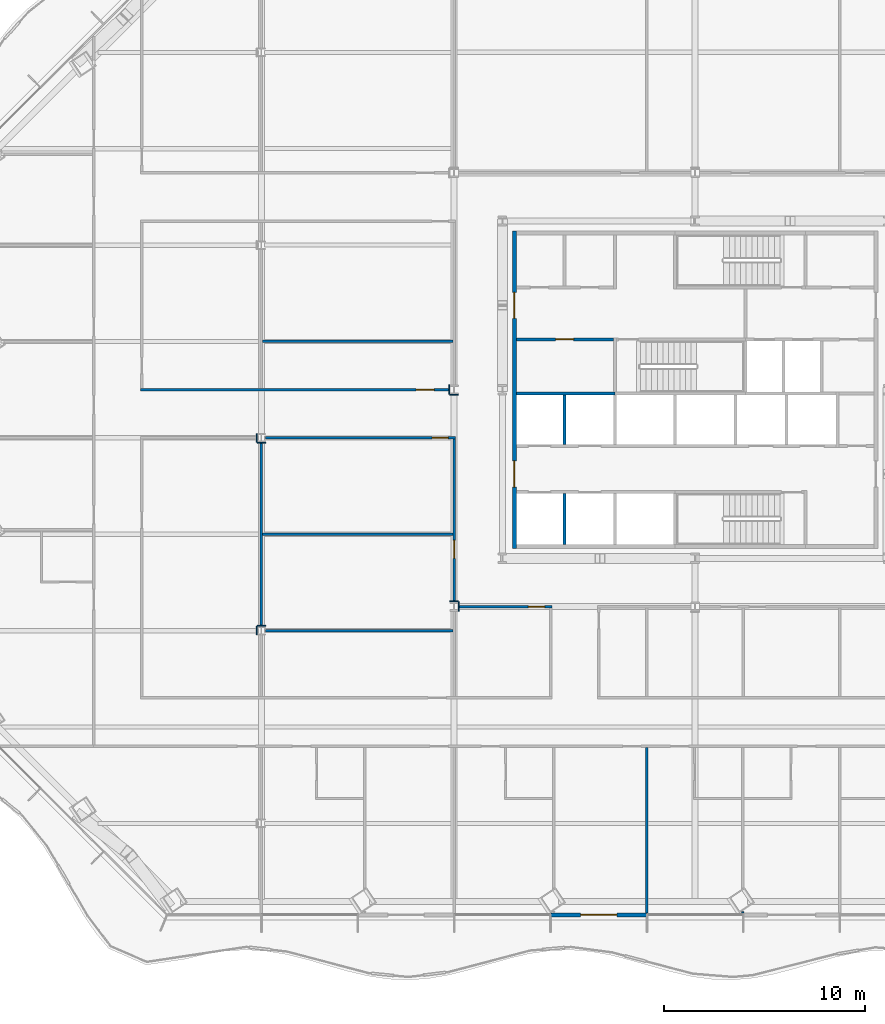
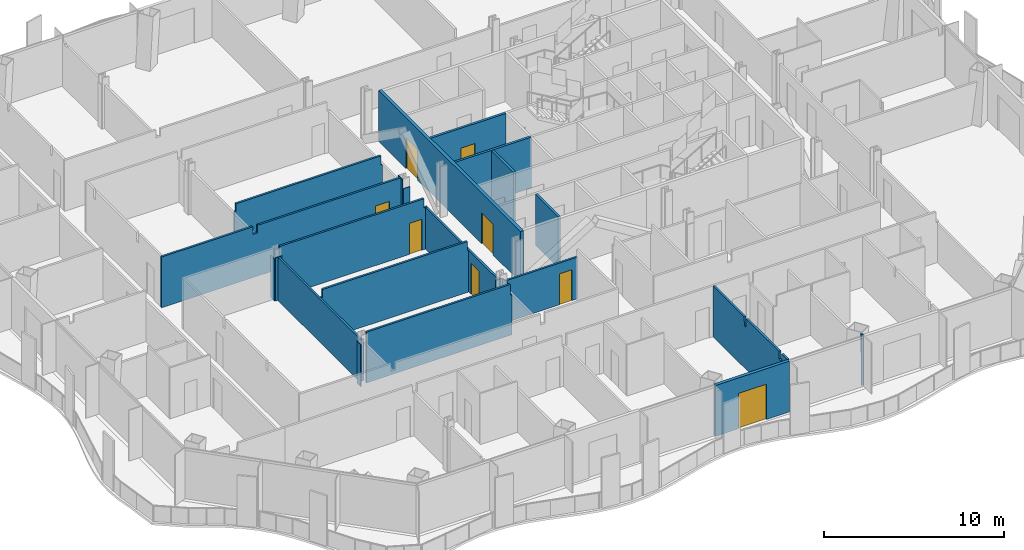
# One storey, part 8 of 20: 24 walls, 8 doors, 8 openings.
"""IFC4 building model written with IfcOpenShell, lengths in metres."""

from ifc_helpers import new_model, si_unit, direction, frame, frame_2d, origin, place, context, subcontext, project, spatial, polyline, rectangle, outline, extrude, material, layer, layer_set, type_object, element, fill, save


model = new_model("IFC4")

# Units and contexts
model_context = context("Model", 3, precision=1e-05, world=origin(), true_north=direction((0.0, 1.0)))
body_context = subcontext(model_context, "Body", "Model", "MODEL_VIEW")
ifc_project = project(units=[si_unit("LENGTHUNIT", "METRE"), si_unit("AREAUNIT", "SQUARE_METRE"), si_unit("VOLUMEUNIT", "CUBIC_METRE"), si_unit("PLANEANGLEUNIT", "RADIAN"), si_unit("MASSUNIT", "GRAM", prefix="KILO")], contexts=[model_context])

# Site, building, storey
site_placement = place(None, origin())
site = spatial("IfcSite", under=ifc_project, at=site_placement, CompositionType="ELEMENT")
building_placement = place(site_placement, origin())
building = spatial("IfcBuilding", under=site, at=building_placement, Name="Cairn Pilgrim Tower", CompositionType="ELEMENT")
storey_placement = place(building_placement, frame((0.0, 0.0, 87.0)))
storey = spatial("IfcBuildingStorey", under=building, at=storey_placement, Name="L20", CompositionType="ELEMENT", Elevation=87.0)

# Wall, opening, door
ifc_material_1 = material(Name="Bronze anodised aluminium insulated sandwich panel with mineral wool fill", Category="aluminium")
ifc_layer_1 = layer(ifc_material_1, 0.199951171875)
ifc_layer_set_1 = layer_set([ifc_layer_1], Name="BRONZE INFILL FRAME WALL 200")
wall_type_1 = type_object("IfcWallType", Name="BRONZE INFILL FRAME WALL 200", PredefinedType="NOTDEFINED", material=ifc_layer_set_1)
wall_1_placement = place(storey_placement, frame((0.030029296875, -23.75, 0.0), z_axis=(0.0, 0.0, 1.0), x_axis=(1.0, 0.0, 0.0)))
wall_1 = element("IfcWall", 1, at=wall_1_placement, inside=storey, type_object=wall_type_1, Name="Bronze infill frame wall IW-S5", PredefinedType="NOTDEFINED", context=body_context, shape_type="SweptSolid", body=[
    extrude(rectangle(XDim=4.739990234375, YDim=0.199951171875, at=frame_2d((2.3701171875, 0.0))), origin(), (0.0, 0.0, 1.0), 3.449951171875),
])
opening_1_placement = place(wall_1_placement, frame((1.469970703125, 0.0, 0.0)))
opening_1 = element("IfcOpeningElement", 2, at=opening_1_placement, cuts=wall_1, Name="Opening 2005B", PredefinedType="OPENING", context=body_context, shape_type="SweptSolid", body=[
    extrude(rectangle(XDim=1.800048828125, YDim=2.39990234375, at=frame_2d((0.89990234375, 1.199951171875))), frame((0.0, 0.10986328125, 0.0), z_axis=(0.0, -1.0, 0.0), x_axis=(1.0, 0.0, 0.0)), (0.0, 0.0, 1.0), 0.219970703125),
])
ifc_material_2 = material(Name="Bronze anodised aluminium frame with tinted low-E glass", Category="aluminium")
door_type_1 = type_object("IfcDoorType", Name="BALCONY SLIDING DOOR 1800x2400", OperationType="DOUBLE_DOOR_SLIDING", PredefinedType="DOOR", material=ifc_material_2)
door_1_placement = place(opening_1_placement, origin())
door_1 = element("IfcDoor", 3, at=door_1_placement, inside=storey, type_object=door_type_1, Name="Balcony sliding door 2005B", OperationType="SINGLE_SWING_LEFT", OverallHeight=2.39990234375, OverallWidth=1.800048828125, PredefinedType="DOOR", context=body_context, shape_type="SweptSolid", body=[
    extrude(rectangle(XDim=1.800048828125, YDim=2.39990234375, at=frame_2d((0.89990234375, 1.199951171875))), frame((0.0, 0.02490234375, 0.0), z_axis=(0.0, -1.0, 0.0), x_axis=(1.0, 0.0, 0.0)), (0.0, 0.0, 1.0), 0.050048828125),
])
fill(opening_1, door_1)

# Wall, openings, doors
ifc_material_3 = material(Name="Concrete C32/40", Category="concrete")
ifc_layer_2 = layer(ifc_material_3, 0.199951171875)
ifc_layer_set_2 = layer_set([ifc_layer_2], Name="CORE OUTER WALL 200 EI 120")
wall_type_2 = type_object("IfcWallType", Name="CORE OUTER WALL 200 EI 120", PredefinedType="SOLIDWALL", material=ifc_layer_set_2)
wall_2_placement = place(storey_placement, frame((-1.800048828125, -5.5, 0.0), z_axis=(0.0, 0.0, 1.0), x_axis=(0.0, 1.0, 0.0)))
wall_2 = element("IfcWall", 4, at=wall_2_placement, inside=storey, type_object=wall_type_2, Name="CW:L20:V12", PredefinedType="SOLIDWALL", context=body_context, shape_type="SweptSolid", body=[
    extrude(rectangle(XDim=15.800048828125, YDim=0.199951171875, at=frame_2d((7.89990234375, 0.0))), origin(), (0.0, 0.0, 1.0), 3.449951171875),
])
opening_2_placement = place(wall_2_placement, frame((3.050048828125, 0.0, 0.0)))
opening_2 = element("IfcOpeningElement", 5, at=opening_2_placement, cuts=wall_2, Name="Opening CD-W1", PredefinedType="OPENING", context=body_context, shape_type="SweptSolid", body=[
    extrude(rectangle(XDim=1.300048828125, YDim=2.10009765625, at=frame_2d((0.64990234375, 1.050048828125))), frame((0.0, 0.10986328125, 0.0), z_axis=(0.0, -1.0, 0.0), x_axis=(1.0, 0.0, 0.0)), (0.0, 0.0, 1.0), 0.219970703125),
])
opening_3_placement = place(wall_2_placement, frame((11.449951171875, 0.0, 0.0)))
opening_3 = element("IfcOpeningElement", 6, at=opening_3_placement, cuts=wall_2, Name="Opening CD-W2", PredefinedType="OPENING", context=body_context, shape_type="SweptSolid", body=[
    extrude(rectangle(XDim=1.300048828125, YDim=2.10009765625, at=frame_2d((0.64990234375, 1.050048828125))), frame((0.0, 0.10986328125, 0.0), z_axis=(0.0, -1.0, 0.0), x_axis=(1.0, 0.0, 0.0)), (0.0, 0.0, 1.0), 0.219970703125),
])
ifc_material_4 = material(Name="Painted steel", Category="steel")
door_type_2 = type_object("IfcDoorType", Name="CORE LOBBY DOOR 1300x2100", OperationType="DOUBLE_DOOR_SINGLE_SWING", PredefinedType="DOOR", material=ifc_material_4)
door_2_placement = place(opening_2_placement, origin())
door_2 = element("IfcDoor", 7, at=door_2_placement, inside=storey, type_object=door_type_2, Name="CD-W1", OperationType="DOUBLE_DOOR_SINGLE_SWING", OverallHeight=2.10009765625, OverallWidth=1.300048828125, PredefinedType="DOOR", context=body_context, shape_type="SweptSolid", body=[
    extrude(rectangle(XDim=1.300048828125, YDim=2.10009765625, at=frame_2d((0.64990234375, 1.050048828125))), frame((0.0, 0.02490234375, 0.0), z_axis=(0.0, -1.0, 0.0), x_axis=(1.0, 0.0, 0.0)), (0.0, 0.0, 1.0), 0.050048828125),
])
fill(opening_2, door_2)
door_3_placement = place(opening_3_placement, origin())
door_3 = element("IfcDoor", 8, at=door_3_placement, inside=storey, type_object=door_type_2, Name="CD-W2", OperationType="DOUBLE_DOOR_SINGLE_SWING", OverallHeight=2.10009765625, OverallWidth=1.300048828125, PredefinedType="DOOR", context=body_context, shape_type="SweptSolid", body=[
    extrude(rectangle(XDim=1.300048828125, YDim=2.10009765625, at=frame_2d((0.64990234375, 1.050048828125))), frame((0.0, 0.02490234375, 0.0), z_axis=(0.0, -1.0, 0.0), x_axis=(1.0, 0.0, 0.0)), (0.0, 0.0, 1.0), 0.050048828125),
])
fill(opening_3, door_3)

# Wall, opening, door
ifc_layer_3 = layer(ifc_material_3, 0.14990234375)
ifc_layer_set_3 = layer_set([ifc_layer_3], Name="CORE PARTITION 150 EI 60")
wall_type_3 = type_object("IfcWallType", Name="CORE PARTITION 150 EI 60", PredefinedType="PARTITIONING", material=ifc_layer_set_3)
wall_3_placement = place(storey_placement, frame((-1.699951171875, 4.89990234375, 0.0), z_axis=(0.0, 0.0, 1.0), x_axis=(1.0, 0.0, 0.0)))
wall_3 = element("IfcWall", 9, at=wall_3_placement, inside=storey, type_object=wall_type_3, Name="CW:L20:H07", PredefinedType="PARTITIONING", context=body_context, shape_type="SweptSolid", body=[
    extrude(rectangle(XDim=4.824951171875, YDim=0.14990234375, at=frame_2d((2.41259765625, 0.0))), origin(), (0.0, 0.0, 1.0), 3.449951171875),
])
opening_4_placement = place(wall_3_placement, frame((1.949951171875, 0.0, 0.0)))
opening_4 = element("IfcOpeningElement", 10, at=opening_4_placement, cuts=wall_3, Name="Opening RD-R3W1", PredefinedType="OPENING", context=body_context, shape_type="SweptSolid", body=[
    extrude(rectangle(XDim=0.89990234375, YDim=2.10009765625, at=frame_2d((0.449951171875, 1.050048828125))), frame((0.0, 0.0849609375, 0.0), z_axis=(0.0, -1.0, 0.0), x_axis=(1.0, 0.0, 0.0)), (0.0, 0.0, 1.0), 0.169921875),
])
door_type_3 = type_object("IfcDoorType", Name="SERVICE ROOM DOOR 900x2100", OperationType="SINGLE_SWING_LEFT", PredefinedType="DOOR", material=ifc_material_4)
door_4_placement = place(opening_4_placement, origin())
door_4 = element("IfcDoor", 11, at=door_4_placement, inside=storey, type_object=door_type_3, Name="RD-R3W1", OperationType="SINGLE_SWING_LEFT", OverallHeight=2.10009765625, OverallWidth=0.89990234375, PredefinedType="DOOR", context=body_context, shape_type="SweptSolid", body=[
    extrude(rectangle(XDim=0.89990234375, YDim=2.10009765625, at=frame_2d((0.449951171875, 1.050048828125))), frame((0.0, 0.02490234375, 0.0), z_axis=(0.0, -1.0, 0.0), x_axis=(1.0, 0.0, 0.0)), (0.0, 0.0, 1.0), 0.050048828125),
])
fill(opening_4, door_4)

# Walls
ifc_layer_4 = layer(ifc_material_3, 0.14990234375)
ifc_layer_set_4 = layer_set([ifc_layer_4], Name="CORE SHAFT WALL 150 EI 120")
wall_type_4 = type_object("IfcWallType", Name="CORE SHAFT WALL 150 EI 120", PredefinedType="SOLIDWALL", material=ifc_layer_set_4)
wall_4_placement = place(storey_placement, frame((-1.699951171875, 2.199951171875, 0.0), z_axis=(0.0, 0.0, 1.0), x_axis=(1.0, 0.0, 0.0)))
element("IfcWall", 12, at=wall_4_placement, inside=storey, type_object=wall_type_4, Name="CW:L20:H05-1", PredefinedType="SOLIDWALL", context=body_context, shape_type="SweptSolid", body=[
    extrude(rectangle(XDim=4.89990234375, YDim=0.14990234375, at=frame_2d((2.449951171875, 0.0))), origin(), (0.0, 0.0, 1.0), 3.449951171875),
])
wall_5_placement = place(storey_placement, frame((0.699951171875, -5.300048828125, 0.0), z_axis=(0.0, 0.0, 1.0), x_axis=(0.0, 1.0, 0.0)))
element("IfcWall", 13, at=wall_5_placement, inside=storey, type_object=wall_type_4, Name="CW:L20:V13", PredefinedType="SOLIDWALL", context=body_context, shape_type="SweptSolid", body=[
    extrude(rectangle(XDim=2.525146484375, YDim=0.14990234375, at=frame_2d((1.2626953125, 0.0))), origin(), (0.0, 0.0, 1.0), 3.449951171875),
])
wall_6_placement = place(storey_placement, frame((0.699951171875, -0.324951171875, 0.0), z_axis=(0.0, 0.0, 1.0), x_axis=(0.0, 1.0, 0.0)))
element("IfcWall", 14, at=wall_6_placement, inside=storey, type_object=wall_type_4, Name="CW:L20:V14", PredefinedType="SOLIDWALL", context=body_context, shape_type="SweptSolid", body=[
    extrude(rectangle(XDim=2.449951171875, YDim=0.14990234375, at=frame_2d((1.22509765625, 0.0))), origin(), (0.0, 0.0, 1.0), 3.449951171875),
])
ifc_material_5 = material(Name="Gypsum partition")
ifc_layer_5 = layer(ifc_material_5, 0.125)
ifc_layer_set_5 = layer_set([ifc_layer_5], Name="PARTITION 125 DRYWALL EI 60")
wall_type_5 = type_object("IfcWallType", Name="PARTITION 125 DRYWALL EI 60", PredefinedType="PARTITIONING", material=ifc_layer_set_5)
wall_7_placement = place(storey_placement, frame((4.800048828125, -23.64990234375, 0.0), z_axis=(0.0, 0.0, 1.0), x_axis=(0.0, 1.0, 0.0)))
element("IfcWall", 15, at=wall_7_placement, inside=storey, type_object=wall_type_5, Name="PARTITION W003", PredefinedType="PARTITIONING", context=body_context, shape_type="SweptSolid", body=[
    extrude(outline(polyline([(0.0, 0.0), (8.2373046875, 0.0), (8.237548828125, 3.449951171875), (4.768798828125, 3.449951171875), (4.7666015625, 2.8798828125), (4.55859375, 2.8798828125), (4.556640625, 3.449951171875), (0.913818359375, 3.449951171875), (0.91162109375, 2.929931640625), (0.61376953125, 2.929931640625), (0.61181640625, 3.449951171875), (0.0, 3.449951171875), (0.0, 0.0)])), frame((0.0, 0.0625, 0.0), z_axis=(0.0, -1.0, 0.0), x_axis=(1.0, 0.0, 0.0)), (0.0, 0.0, 1.0), 0.125),
])
wall_8_placement = place(storey_placement, frame((9.573974609375, -23.64990234375, 0.0), z_axis=(0.0, 0.0, 1.0), x_axis=(0.0, 1.0, 0.0)))
element("IfcWall", 16, at=wall_8_placement, inside=storey, type_object=wall_type_5, Name="PARTITION W004", PredefinedType="PARTITIONING", context=body_context, shape_type="SweptSolid", body=[
    extrude(outline(polyline([(0.0, 0.0), (0.074462890625, 0.0), (0.074462890625, 0.862548828125), (0.074462890625, 1.72509765625), (0.0869140625, 2.58740234375), (0.13818359375, 3.449951171875), (0.0, 3.449951171875), (0.0, 2.58740234375), (0.0, 1.72509765625), (0.0, 0.862548828125), (0.0, 0.0)])), frame((0.0, 0.0625, 0.0), z_axis=(0.0, -1.0, 0.0), x_axis=(1.0, 0.0, 0.0)), (0.0, 0.0, 1.0), 0.125),
])
wall_9_placement = place(storey_placement, frame((-14.195556640625, -9.60009765625, 0.0), z_axis=(0.0, 0.0, 1.0), x_axis=(1.0, 0.0, 0.0)))
element("IfcWall", 17, at=wall_9_placement, inside=storey, type_object=wall_type_5, Name="PARTITION W039", PredefinedType="PARTITIONING", context=body_context, shape_type="SweptSolid", body=[
    extrude(outline(polyline([(0.0, 0.0), (9.3330078125, 0.0), (9.3330078125, 2.72998046875), (9.24560546875, 2.72998046875), (9.243408203125, 3.449951171875), (0.0, 3.449951171875), (0.0, 0.0)])), frame((0.0, 0.0625, 0.0), z_axis=(0.0, -1.0, 0.0), x_axis=(1.0, 0.0, 0.0)), (0.0, 0.0, 1.0), 0.125),
])
wall_10_placement = place(storey_placement, frame((-14.39990234375, -9.387451171875, 0.0), z_axis=(0.0, 0.0, 1.0), x_axis=(0.0, 1.0, 0.0)))
element("IfcWall", 18, at=wall_10_placement, inside=storey, type_object=wall_type_5, Name="PARTITION W040", PredefinedType="PARTITIONING", context=body_context, shape_type="SweptSolid", body=[
    extrude(rectangle(XDim=9.175048828125, YDim=0.125, at=frame_2d((4.58740234375, 0.0))), origin(), (0.0, 0.0, 1.0), 2.929931640625),
])

# Wall, opening, door
wall_11_placement = place(storey_placement, frame((-4.587890625, -8.39990234375, 0.0), z_axis=(0.0, 0.0, 1.0), x_axis=(1.0, 0.0, 0.0)))
wall_11 = element("IfcWall", 19, at=wall_11_placement, inside=storey, type_object=wall_type_5, Name="PARTITION W041", PredefinedType="PARTITIONING", context=body_context, shape_type="SweptSolid", body=[
    extrude(rectangle(XDim=4.650390625, YDim=0.125, at=frame_2d((2.3251953125, 0.0))), origin(), (0.0, 0.0, 1.0), 2.830078125),
])
opening_5_placement = place(wall_11_placement, frame((3.488037109375, 0.0, 0.0)))
opening_5 = element("IfcOpeningElement", 20, at=opening_5_placement, cuts=wall_11, Name="Opening 2031", PredefinedType="OPENING", context=body_context, shape_type="SweptSolid", body=[
    extrude(rectangle(XDim=0.800048828125, YDim=2.10009765625, at=frame_2d((0.39990234375, 1.050048828125))), frame((0.0, 0.072509765625, 0.0), z_axis=(0.0, -1.0, 0.0), x_axis=(1.0, 0.0, 0.0)), (0.0, 0.0, 1.0), 0.14501953125),
])
ifc_material_6 = material(Name="Steel-faced fire door leaf", Category="steel")
door_type_4 = type_object("IfcDoorType", Name="FIRE DOOR 800x2100 FD30S", OperationType="NOTDEFINED", PredefinedType="DOOR", material=ifc_material_6)
door_5_placement = place(opening_5_placement, frame((0.800048828125, 0.0, 0.0), z_axis=(0.0, 0.0, 1.0), x_axis=(-1.0, 0.0, 0.0)))
door_5 = element("IfcDoor", 21, at=door_5_placement, inside=storey, type_object=door_type_4, Name="DOOR 2031", OperationType="SINGLE_SWING_RIGHT", OverallHeight=2.10009765625, OverallWidth=0.800048828125, PredefinedType="DOOR", context=body_context, shape_type="SweptSolid", body=[
    extrude(rectangle(XDim=0.800048828125, YDim=2.10009765625, at=frame_2d((0.39990234375, 1.050048828125))), frame((0.0, 0.02490234375, 0.0), z_axis=(0.0, -1.0, 0.0), x_axis=(1.0, 0.0, 0.0)), (0.0, 0.0, 1.0), 0.050048828125),
])
fill(opening_5, door_5)

wall_12_placement = place(storey_placement, frame((-4.800048828125, -8.1630859375, 0.0), z_axis=(0.0, 0.0, 1.0), x_axis=(0.0, 1.0, 0.0)))
wall_12 = element("IfcWall", 22, at=wall_12_placement, inside=storey, type_object=wall_type_5, Name="PARTITION W044", PredefinedType="PARTITIONING", context=body_context, shape_type="SweptSolid", body=[
    extrude(rectangle(XDim=8.1005859375, YDim=0.125, at=frame_2d((4.05029296875, 0.0))), origin(), (0.0, 0.0, 1.0), 2.830078125),
])
opening_6_placement = place(wall_12_placement, frame((2.1630859375, 0.0, 0.0)))
opening_6 = element("IfcOpeningElement", 23, at=opening_6_placement, cuts=wall_12, Name="Opening 2025", PredefinedType="OPENING", context=body_context, shape_type="SweptSolid", body=[
    extrude(rectangle(XDim=0.89990234375, YDim=2.10009765625, at=frame_2d((0.449951171875, 1.050048828125))), frame((0.0, 0.072509765625, 0.0), z_axis=(0.0, -1.0, 0.0), x_axis=(1.0, 0.0, 0.0)), (0.0, 0.0, 1.0), 0.14501953125),
])
door_type_5 = type_object("IfcDoorType", Name="FIRE DOOR 900x2100 FD30S", OperationType="NOTDEFINED", PredefinedType="DOOR", material=ifc_material_6)
door_6_placement = place(opening_6_placement, origin())
door_6 = element("IfcDoor", 24, at=door_6_placement, inside=storey, type_object=door_type_5, Name="DOOR 2025", OperationType="SINGLE_SWING_RIGHT", OverallHeight=2.10009765625, OverallWidth=0.89990234375, PredefinedType="DOOR", context=body_context, shape_type="SweptSolid", body=[
    extrude(rectangle(XDim=0.89990234375, YDim=2.10009765625, at=frame_2d((0.449951171875, 1.050048828125))), frame((0.0, 0.02490234375, 0.0), z_axis=(0.0, -1.0, 0.0), x_axis=(1.0, 0.0, 0.0)), (0.0, 0.0, 1.0), 0.050048828125),
])
fill(opening_6, door_6)

# Wall
wall_13_placement = place(storey_placement, frame((-14.33740234375, -4.800048828125, 0.0), z_axis=(0.0, 0.0, 1.0), x_axis=(1.0, 0.0, 0.0)))
element("IfcWall", 25, at=wall_13_placement, inside=storey, type_object=wall_type_5, Name="PARTITION W048", PredefinedType="PARTITIONING", context=body_context, shape_type="SweptSolid", body=[
    extrude(outline(polyline([(0.0, 0.0), (9.474853515625, 0.0), (9.47509765625, 2.830078125), (9.387451171875, 2.830078125), (9.385498046875, 3.449951171875), (0.08740234375, 3.449951171875), (0.08544921875, 2.929931640625), (0.0, 2.929931640625), (0.0, 0.0)])), frame((0.0, 0.0625, 0.0), z_axis=(0.0, -1.0, 0.0), x_axis=(1.0, 0.0, 0.0)), (0.0, 0.0, 1.0), 0.125),
])

# Wall, opening, door
wall_14_placement = place(storey_placement, frame((-14.195556640625, 0.0, 0.0), z_axis=(0.0, 0.0, 1.0), x_axis=(1.0, 0.0, 0.0)))
wall_14 = element("IfcWall", 26, at=wall_14_placement, inside=storey, type_object=wall_type_5, Name="PARTITION W055", PredefinedType="PARTITIONING", context=body_context, shape_type="SweptSolid", body=[
    extrude(outline(polyline([(0.0, 0.0), (9.4580078125, 0.0), (9.4580078125, 2.830078125), (9.24560546875, 2.830078125), (9.243408203125, 3.449951171875), (0.0, 3.449951171875), (0.0, 0.0)])), frame((0.0, 0.0625, 0.0), z_axis=(0.0, -1.0, 0.0), x_axis=(1.0, 0.0, 0.0)), (0.0, 0.0, 1.0), 0.125),
])
opening_7_placement = place(wall_14_placement, frame((8.29541015625, 0.0, 0.0)))
opening_7 = element("IfcOpeningElement", 27, at=opening_7_placement, cuts=wall_14, Name="Opening 2026", PredefinedType="OPENING", context=body_context, shape_type="SweptSolid", body=[
    extrude(rectangle(XDim=0.800048828125, YDim=2.10009765625, at=frame_2d((0.39990234375, 1.050048828125))), frame((0.0, 0.072509765625, 0.0), z_axis=(0.0, -1.0, 0.0), x_axis=(1.0, 0.0, 0.0)), (0.0, 0.0, 1.0), 0.14501953125),
])
door_7_placement = place(opening_7_placement, frame((0.800048828125, 0.0, 0.0), z_axis=(0.0, 0.0, 1.0), x_axis=(-1.0, 0.0, 0.0)))
door_7 = element("IfcDoor", 28, at=door_7_placement, inside=storey, type_object=door_type_4, Name="DOOR 2026", OperationType="SINGLE_SWING_LEFT", OverallHeight=2.10009765625, OverallWidth=0.800048828125, PredefinedType="DOOR", context=body_context, shape_type="SweptSolid", body=[
    extrude(rectangle(XDim=0.800048828125, YDim=2.10009765625, at=frame_2d((0.39990234375, 1.050048828125))), frame((0.0, 0.02490234375, 0.0), z_axis=(0.0, -1.0, 0.0), x_axis=(1.0, 0.0, 0.0)), (0.0, 0.0, 1.0), 0.050048828125),
])
fill(opening_7, door_7)

wall_15_placement = place(storey_placement, frame((-20.41259765625, 2.39990234375, 0.0), z_axis=(0.0, 0.0, 1.0), x_axis=(1.0, 0.0, 0.0)))
wall_15 = element("IfcWall", 29, at=wall_15_placement, inside=storey, type_object=wall_type_5, Name="PARTITION W059", PredefinedType="PARTITIONING", context=body_context, shape_type="SweptSolid", body=[
    extrude(outline(polyline([(0.0, 0.0), (15.400634765625, 0.0), (15.400390625, 3.449951171875), (6.16259765625, 3.449951171875), (6.160400390625, 2.929931640625), (5.862548828125, 2.929931640625), (5.860595703125, 3.449951171875), (0.0, 3.449951171875), (0.0, 0.0)])), frame((0.0, 0.0625, 0.0), z_axis=(0.0, -1.0, 0.0), x_axis=(1.0, 0.0, 0.0)), (0.0, 0.0, 1.0), 0.125),
])
opening_8_placement = place(wall_15_placement, frame((13.71240234375, 0.0, 0.0)))
opening_8 = element("IfcOpeningElement", 30, at=opening_8_placement, cuts=wall_15, Name="Opening 2027", PredefinedType="OPENING", context=body_context, shape_type="SweptSolid", body=[
    extrude(rectangle(XDim=0.89990234375, YDim=2.10009765625, at=frame_2d((0.449951171875, 1.050048828125))), frame((0.0, 0.072509765625, 0.0), z_axis=(0.0, -1.0, 0.0), x_axis=(1.0, 0.0, 0.0)), (0.0, 0.0, 1.0), 0.14501953125),
])
door_8_placement = place(opening_8_placement, origin())
door_8 = element("IfcDoor", 31, at=door_8_placement, inside=storey, type_object=door_type_5, Name="DOOR 2027", OperationType="SINGLE_SWING_RIGHT", OverallHeight=2.10009765625, OverallWidth=0.89990234375, PredefinedType="DOOR", context=body_context, shape_type="SweptSolid", body=[
    extrude(rectangle(XDim=0.89990234375, YDim=2.10009765625, at=frame_2d((0.449951171875, 1.050048828125))), frame((0.0, 0.02490234375, 0.0), z_axis=(0.0, -1.0, 0.0), x_axis=(1.0, 0.0, 0.0)), (0.0, 0.0, 1.0), 0.050048828125),
])
fill(opening_8, door_8)

# Walls
wall_16_placement = place(storey_placement, frame((-14.33740234375, 4.800048828125, 0.0), z_axis=(0.0, 0.0, 1.0), x_axis=(1.0, 0.0, 0.0)))
element("IfcWall", 32, at=wall_16_placement, inside=storey, type_object=wall_type_5, Name="PARTITION W065", PredefinedType="PARTITIONING", context=body_context, shape_type="SweptSolid", body=[
    extrude(outline(polyline([(0.0, 0.0), (9.474853515625, 0.0), (9.47509765625, 2.830078125), (9.387451171875, 2.830078125), (9.385498046875, 3.449951171875), (0.08740234375, 3.449951171875), (0.08544921875, 2.929931640625), (0.0, 2.929931640625), (0.0, 0.0)])), frame((0.0, 0.0625, 0.0), z_axis=(0.0, -1.0, 0.0), x_axis=(1.0, 0.0, 0.0)), (0.0, 0.0, 1.0), 0.125),
])
ifc_layer_6 = layer(ifc_material_5, 0.050048828125)
ifc_layer_set_6 = layer_set([ifc_layer_6], Name="PARTITION 50 DRYWALL EI 60")
wall_type_6 = type_object("IfcWallType", Name="PARTITION 50 DRYWALL EI 60", PredefinedType="PARTITIONING", material=ifc_layer_set_6)
wall_17_placement = place(storey_placement, frame((-14.62939453125, -9.8125, 0.0), z_axis=(0.0, 0.0, 1.0), x_axis=(0.0, 1.0, 0.0)))
element("IfcWall", 33, at=wall_17_placement, inside=storey, type_object=wall_type_6, Name="COLUMN CASING WC05", PredefinedType="PARTITIONING", context=body_context, shape_type="SweptSolid", body=[
    extrude(rectangle(XDim=0.425048828125, YDim=0.050048828125, at=frame_2d((0.21240234375, 0.0))), origin(), (0.0, 0.0, 1.0), 2.830078125),
])
wall_18_placement = place(storey_placement, frame((-14.62939453125, -0.21240234375, 0.0), z_axis=(0.0, 0.0, 1.0), x_axis=(0.0, 1.0, 0.0)))
element("IfcWall", 34, at=wall_18_placement, inside=storey, type_object=wall_type_6, Name="COLUMN CASING WC06", PredefinedType="PARTITIONING", context=body_context, shape_type="SweptSolid", body=[
    extrude(rectangle(XDim=0.4248046875, YDim=0.050048828125, at=frame_2d((0.21240234375, 0.0))), origin(), (0.0, 0.0, 1.0), 2.830078125),
])
wall_19_placement = place(storey_placement, frame((-4.56298828125, -8.636962890625, 0.0), z_axis=(0.0, 0.0, 1.0), x_axis=(0.0, 1.0, 0.0)))
element("IfcWall", 35, at=wall_19_placement, inside=storey, type_object=wall_type_6, Name="COLUMN CASING WC07", PredefinedType="PARTITIONING", context=body_context, shape_type="SweptSolid", body=[
    extrude(rectangle(XDim=0.473876953125, YDim=0.050048828125, at=frame_2d((0.23681640625, 0.0))), origin(), (0.0, 0.0, 1.0), 2.830078125),
])
wall_20_placement = place(storey_placement, frame((-14.6044921875, -9.362548828125, 0.0), z_axis=(0.0, 0.0, 1.0), x_axis=(1.0, 0.0, 0.0)))
element("IfcWall", 36, at=wall_20_placement, inside=storey, type_object=wall_type_6, Name="COLUMN CASING WC08", PredefinedType="PARTITIONING", context=body_context, shape_type="SweptSolid", body=[
    extrude(rectangle(XDim=0.408935546875, YDim=0.050048828125, at=frame_2d((0.20458984375, 0.0))), origin(), (0.0, 0.0, 1.0), 2.830078125),
])
wall_21_placement = place(storey_placement, frame((-5.011962890625, -8.137939453125, 0.0), z_axis=(0.0, 0.0, 1.0), x_axis=(1.0, 0.0, 0.0)))
element("IfcWall", 37, at=wall_21_placement, inside=storey, type_object=wall_type_6, Name="COLUMN CASING WC09", PredefinedType="PARTITIONING", context=body_context, shape_type="SweptSolid", body=[
    extrude(rectangle(XDim=0.424072265625, YDim=0.050048828125, at=frame_2d((0.2119140625, 0.0))), origin(), (0.0, 0.0, 1.0), 2.830078125),
])
wall_22_placement = place(storey_placement, frame((-14.6044921875, -0.237548828125, 0.0), z_axis=(0.0, 0.0, 1.0), x_axis=(1.0, 0.0, 0.0)))
element("IfcWall", 38, at=wall_22_placement, inside=storey, type_object=wall_type_6, Name="COLUMN CASING WC11", PredefinedType="PARTITIONING", context=body_context, shape_type="SweptSolid", body=[
    extrude(rectangle(XDim=0.408935546875, YDim=0.050048828125, at=frame_2d((0.20458984375, 0.0))), origin(), (0.0, 0.0, 1.0), 2.929931640625),
])
wall_23_placement = place(storey_placement, frame((-5.011962890625, 2.137939453125, 0.0), z_axis=(0.0, 0.0, 1.0), x_axis=(1.0, 0.0, 0.0)))
element("IfcWall", 39, at=wall_23_placement, inside=storey, type_object=wall_type_6, Name="COLUMN CASING WC13", PredefinedType="PARTITIONING", context=body_context, shape_type="SweptSolid", body=[
    extrude(rectangle(XDim=0.424072265625, YDim=0.050048828125, at=frame_2d((0.2119140625, 0.0))), origin(), (0.0, 0.0, 1.0), 2.830078125),
])
wall_24_placement = place(storey_placement, frame((-5.037109375, 2.1630859375, 0.0), z_axis=(0.0, 0.0, 1.0), x_axis=(0.0, 1.0, 0.0)))
element("IfcWall", 40, at=wall_24_placement, inside=storey, type_object=wall_type_6, Name="COLUMN CASING WC15", PredefinedType="PARTITIONING", context=body_context, shape_type="SweptSolid", body=[
    extrude(rectangle(XDim=0.473876953125, YDim=0.050048828125, at=frame_2d((0.23681640625, 0.0))), origin(), (0.0, 0.0, 1.0), 3.449951171875),
])

save(model, "model.ifc")
